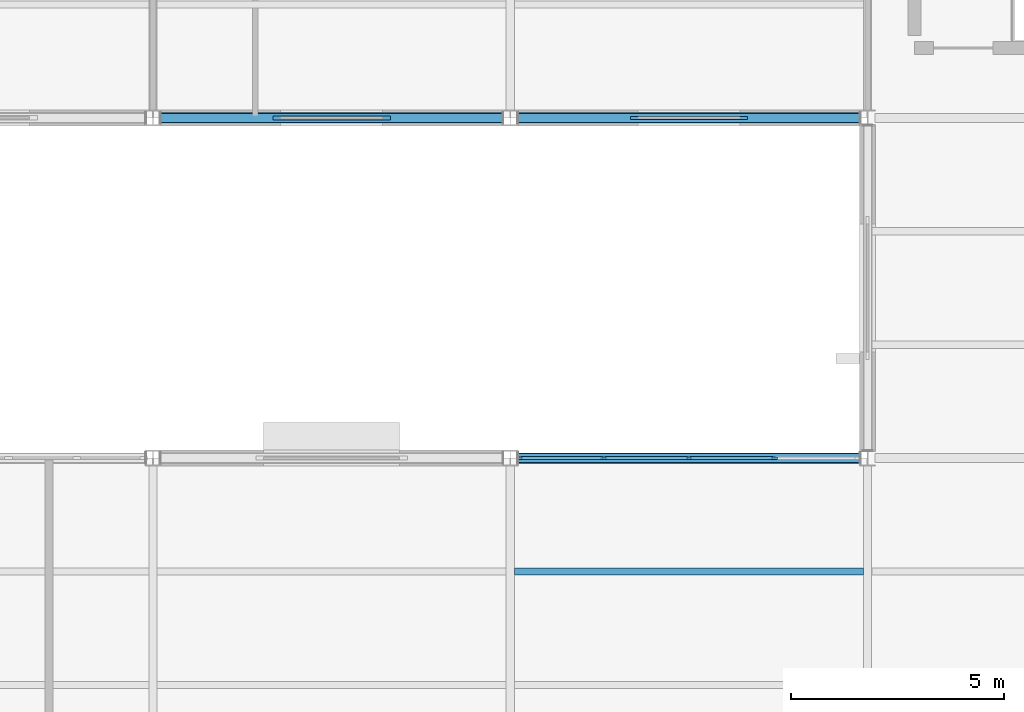
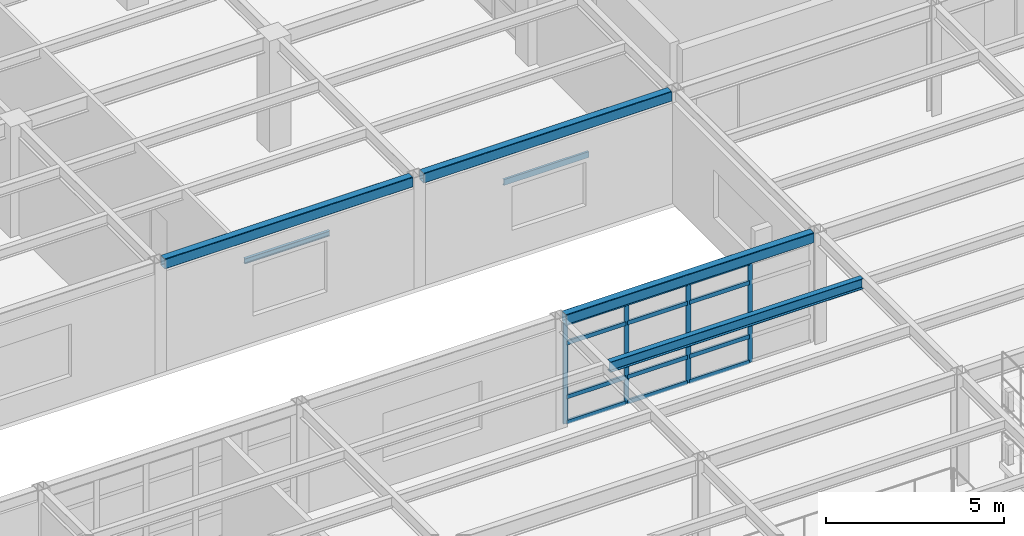
# One storey, part 24 of 138: 16 members, 6 beams, 1 element without a shape of its own.
"""IFC4 building model written with IfcOpenShell, lengths in metres."""

from ifc_helpers import new_model, si_unit, direction, frame, origin, origin_2d, place, context, subcontext, project, spatial, rectangle, hollow_rectangle, i_section, u_section, extrude, material, layer, layer_set, material_profile, profile_set, type_object, element, aggregate, save


model = new_model("IFC4")

# Units and contexts
model_context = context("Model", 3, precision=1e-05, world=origin(), true_north=direction((0.0, 1.0)))
body_context = subcontext(model_context, "Body", "Model", "MODEL_VIEW")
ifc_project = project(units=[si_unit("LENGTHUNIT", "METRE"), si_unit("AREAUNIT", "SQUARE_METRE"), si_unit("VOLUMEUNIT", "CUBIC_METRE"), si_unit("PLANEANGLEUNIT", "RADIAN"), si_unit("MASSUNIT", "GRAM", prefix="KILO")], contexts=[model_context])

# Site, building, storey
site_placement = place(None, origin())
site = spatial("IfcSite", under=ifc_project, at=site_placement, CompositionType="ELEMENT")
building_placement = place(site_placement, origin())
building = spatial("IfcBuilding", under=site, at=building_placement, Name="Kranzveld Transit Interchange", CompositionType="ELEMENT")
storey_placement = place(building_placement, frame((0.0, 0.0, 5.43994140625)))
storey = spatial("IfcBuildingStorey", under=building, at=storey_placement, Name="L01", CompositionType="ELEMENT", Elevation=5.43994140625)

# Curtain wall, members
ifc_material_1 = material(Name="Bronze-anodised thermally broken aluminium", Category="aluminium")
ifc_layer = layer(ifc_material_1, 0.159912109375)
ifc_layer_set = layer_set([ifc_layer], Name="Bronze-anodised thermally broken aluminium")
curtain_wall_type = type_object("IfcCurtainWallType", Name="Bus Boarding Glazed Screen CW-3", PredefinedType="USERDEFINED", material=ifc_layer_set)
curtain_wall_placement = place(storey_placement, origin())
curtain_wall = element("IfcCurtainWall", 1, at=curtain_wall_placement, inside=storey, type_object=curtain_wall_type, Name="L01 Curtain Wall 04/F-05/F", ObjectType="CURTAIN WALL", PredefinedType="USERDEFINED")
ifc_material_2 = material(Name="Bronze-anodised thermally broken aluminium", Category="aluminium")
ifc_material_profile_1 = material_profile(ifc_material_2, rectangle(XDim=0.06005859375, YDim=0.14990234375, at=origin_2d()), Name="ALU MULLION 60x150")
ifc_profile_set_1 = profile_set([ifc_material_profile_1], Name="Bronze-anodised thermally broken aluminium")
member_type_1 = type_object("IfcMemberType", Name="Curtain Wall Mullion 60x150 Alu", PredefinedType="MULLION", material=ifc_profile_set_1)
member_1_placement = place(storey_placement, frame((25.417236328125, 40.0, 0.0), z_axis=(0.0, 0.0, 1.0), x_axis=(0.0, 1.0, 0.0)))
member_1 = element("IfcMember", 2, at=member_1_placement, type_object=member_type_1, Name="CW-3 mullion 1", PredefinedType="MULLION", context=body_context, shape_type="SweptSolid", body=[
    extrude(rectangle(XDim=0.06005859375, YDim=0.14990234375, at=origin_2d()), origin(), (0.0, 0.0, 1.0), 3.449951171875),
])
member_2_placement = place(storey_placement, frame((27.3935546875, 40.0, 0.0), z_axis=(0.0, 0.0, 1.0), x_axis=(0.0, 1.0, 0.0)))
member_2 = element("IfcMember", 3, at=member_2_placement, type_object=member_type_1, Name="CW-3 mullion 2", PredefinedType="MULLION", context=body_context, shape_type="SweptSolid", body=[
    extrude(rectangle(XDim=0.06005859375, YDim=0.14990234375, at=origin_2d()), origin(), (0.0, 0.0, 1.0), 3.449951171875),
])
member_3_placement = place(storey_placement, frame((29.39990234375, 40.0, 0.0), z_axis=(0.0, 0.0, 1.0), x_axis=(0.0, 1.0, 0.0)))
member_3 = element("IfcMember", 4, at=member_3_placement, type_object=member_type_1, Name="CW-3 mullion 3", PredefinedType="MULLION", context=body_context, shape_type="SweptSolid", body=[
    extrude(rectangle(XDim=0.06005859375, YDim=0.14990234375, at=origin_2d()), origin(), (0.0, 0.0, 1.0), 3.449951171875),
])
member_4_placement = place(storey_placement, frame((31.40625, 40.0, 0.0), z_axis=(0.0, 0.0, 1.0), x_axis=(0.0, 1.0, 0.0)))
member_4 = element("IfcMember", 5, at=member_4_placement, type_object=member_type_1, Name="CW-3 mullion 4", PredefinedType="MULLION", context=body_context, shape_type="SweptSolid", body=[
    extrude(rectangle(XDim=0.06005859375, YDim=0.14990234375, at=origin_2d()), origin(), (0.0, 0.0, 1.0), 3.449951171875),
])
ifc_material_3 = material(Name="Bronze-anodised thermally broken aluminium", Category="aluminium")
ifc_material_profile_2 = material_profile(ifc_material_3, rectangle(XDim=0.06494140625, YDim=0.139892578125, at=origin_2d()), Name="ALU TRANSOM 65x140")
ifc_profile_set_2 = profile_set([ifc_material_profile_2], Name="Bronze-anodised thermally broken aluminium")
member_type_2 = type_object("IfcMemberType", Name="Curtain Wall Transom 65x140 Alu", PredefinedType="USERDEFINED", material=ifc_profile_set_2)
member_5_placement = place(storey_placement, frame((25.447265625, 40.0, 0.032470703125), z_axis=(1.0, 0.0, 0.0), x_axis=(0.0, 1.0, 0.0)))
member_5 = element("IfcMember", 6, at=member_5_placement, type_object=member_type_2, Name="CW-3 transom 1.1", ObjectType="TRANSOM", PredefinedType="USERDEFINED", context=body_context, shape_type="SweptSolid", body=[
    extrude(rectangle(XDim=0.06494140625, YDim=0.139892578125, at=origin_2d()), origin(), (0.0, 0.0, 1.0), 1.91650390625),
])
member_6_placement = place(storey_placement, frame((25.447265625, 40.0, 0.900146484375), z_axis=(1.0, 0.0, 0.0), x_axis=(0.0, 1.0, 0.0)))
member_6 = element("IfcMember", 7, at=member_6_placement, type_object=member_type_2, Name="CW-3 transom 1.2", ObjectType="TRANSOM", PredefinedType="USERDEFINED", context=body_context, shape_type="SweptSolid", body=[
    extrude(rectangle(XDim=0.06494140625, YDim=0.139892578125, at=origin_2d()), origin(), (0.0, 0.0, 1.0), 1.91650390625),
])
member_7_placement = place(storey_placement, frame((25.447265625, 40.0, 2.75), z_axis=(1.0, 0.0, 0.0), x_axis=(0.0, 1.0, 0.0)))
member_7 = element("IfcMember", 8, at=member_7_placement, type_object=member_type_2, Name="CW-3 transom 1.3", ObjectType="TRANSOM", PredefinedType="USERDEFINED", context=body_context, shape_type="SweptSolid", body=[
    extrude(rectangle(XDim=0.06494140625, YDim=0.139892578125, at=origin_2d()), origin(), (0.0, 0.0, 1.0), 1.91650390625),
])
member_8_placement = place(storey_placement, frame((25.447265625, 40.0, 3.41748046875), z_axis=(1.0, 0.0, 0.0), x_axis=(0.0, 1.0, 0.0)))
member_8 = element("IfcMember", 9, at=member_8_placement, type_object=member_type_2, Name="CW-3 transom 1.4", ObjectType="TRANSOM", PredefinedType="USERDEFINED", context=body_context, shape_type="SweptSolid", body=[
    extrude(rectangle(XDim=0.06494140625, YDim=0.139892578125, at=origin_2d()), origin(), (0.0, 0.0, 1.0), 1.91650390625),
])
member_9_placement = place(storey_placement, frame((27.423583984375, 40.0, 0.032470703125), z_axis=(1.0, 0.0, 0.0), x_axis=(0.0, 1.0, 0.0)))
member_9 = element("IfcMember", 10, at=member_9_placement, type_object=member_type_2, Name="CW-3 transom 2.1", ObjectType="TRANSOM", PredefinedType="USERDEFINED", context=body_context, shape_type="SweptSolid", body=[
    extrude(rectangle(XDim=0.06494140625, YDim=0.139892578125, at=origin_2d()), origin(), (0.0, 0.0, 1.0), 1.946533203125),
])
member_10_placement = place(storey_placement, frame((27.423583984375, 40.0, 0.900146484375), z_axis=(1.0, 0.0, 0.0), x_axis=(0.0, 1.0, 0.0)))
member_10 = element("IfcMember", 11, at=member_10_placement, type_object=member_type_2, Name="CW-3 transom 2.2", ObjectType="TRANSOM", PredefinedType="USERDEFINED", context=body_context, shape_type="SweptSolid", body=[
    extrude(rectangle(XDim=0.06494140625, YDim=0.139892578125, at=origin_2d()), origin(), (0.0, 0.0, 1.0), 1.946533203125),
])
member_11_placement = place(storey_placement, frame((27.423583984375, 40.0, 2.75), z_axis=(1.0, 0.0, 0.0), x_axis=(0.0, 1.0, 0.0)))
member_11 = element("IfcMember", 12, at=member_11_placement, type_object=member_type_2, Name="CW-3 transom 2.3", ObjectType="TRANSOM", PredefinedType="USERDEFINED", context=body_context, shape_type="SweptSolid", body=[
    extrude(rectangle(XDim=0.06494140625, YDim=0.139892578125, at=origin_2d()), origin(), (0.0, 0.0, 1.0), 1.946533203125),
])
member_12_placement = place(storey_placement, frame((27.423583984375, 40.0, 3.41748046875), z_axis=(1.0, 0.0, 0.0), x_axis=(0.0, 1.0, 0.0)))
member_12 = element("IfcMember", 13, at=member_12_placement, type_object=member_type_2, Name="CW-3 transom 2.4", ObjectType="TRANSOM", PredefinedType="USERDEFINED", context=body_context, shape_type="SweptSolid", body=[
    extrude(rectangle(XDim=0.06494140625, YDim=0.139892578125, at=origin_2d()), origin(), (0.0, 0.0, 1.0), 1.946533203125),
])
member_13_placement = place(storey_placement, frame((29.429931640625, 40.0, 0.032470703125), z_axis=(1.0, 0.0, 0.0), x_axis=(0.0, 1.0, 0.0)))
member_13 = element("IfcMember", 14, at=member_13_placement, type_object=member_type_2, Name="CW-3 transom 3.1", ObjectType="TRANSOM", PredefinedType="USERDEFINED", context=body_context, shape_type="SweptSolid", body=[
    extrude(rectangle(XDim=0.06494140625, YDim=0.139892578125, at=origin_2d()), origin(), (0.0, 0.0, 1.0), 1.946533203125),
])
member_14_placement = place(storey_placement, frame((29.429931640625, 40.0, 0.900146484375), z_axis=(1.0, 0.0, 0.0), x_axis=(0.0, 1.0, 0.0)))
member_14 = element("IfcMember", 15, at=member_14_placement, type_object=member_type_2, Name="CW-3 transom 3.2", ObjectType="TRANSOM", PredefinedType="USERDEFINED", context=body_context, shape_type="SweptSolid", body=[
    extrude(rectangle(XDim=0.06494140625, YDim=0.139892578125, at=origin_2d()), origin(), (0.0, 0.0, 1.0), 1.946533203125),
])
member_15_placement = place(storey_placement, frame((29.429931640625, 40.0, 2.75), z_axis=(1.0, 0.0, 0.0), x_axis=(0.0, 1.0, 0.0)))
member_15 = element("IfcMember", 16, at=member_15_placement, type_object=member_type_2, Name="CW-3 transom 3.3", ObjectType="TRANSOM", PredefinedType="USERDEFINED", context=body_context, shape_type="SweptSolid", body=[
    extrude(rectangle(XDim=0.06494140625, YDim=0.139892578125, at=origin_2d()), origin(), (0.0, 0.0, 1.0), 1.946533203125),
])
member_16_placement = place(storey_placement, frame((29.429931640625, 40.0, 3.41748046875), z_axis=(1.0, 0.0, 0.0), x_axis=(0.0, 1.0, 0.0)))
member_16 = element("IfcMember", 17, at=member_16_placement, type_object=member_type_2, Name="CW-3 transom 3.4", ObjectType="TRANSOM", PredefinedType="USERDEFINED", context=body_context, shape_type="SweptSolid", body=[
    extrude(rectangle(XDim=0.06494140625, YDim=0.139892578125, at=origin_2d()), origin(), (0.0, 0.0, 1.0), 1.946533203125),
])
aggregate(curtain_wall, [member_1, member_2, member_3, member_4, member_5, member_6, member_7, member_8, member_9, member_10, member_11, member_12, member_13, member_14, member_15, member_16])

# Beams
ifc_material_4 = material(Name="Steel S355JR", Category="steel")
ifc_material_profile_3 = material_profile(ifc_material_4, hollow_rectangle(XDim=0.25, YDim=0.35009765625, WallThickness=0.012451171875, InnerFilletRadius=0.018798828125, OuterFilletRadius=0.03125, at=origin_2d()), Name="RHS 350x250x12.5")
ifc_profile_set_3 = profile_set([ifc_material_profile_3], Name="Steel S355JR")
beam_type_1 = type_object("IfcBeamType", Name="Edge Spandrel RHS 350x250x12.5 S355JR", PredefinedType="SPANDREL", material=ifc_profile_set_3)
for number, where, z_axis, x_axis, name in (
    (18, (25.377197265625, 40.0, 3.625), (1.0, 0.0, 0.0), (0.0, 1.0, 0.0), "L01 Girder 04-05/F"),
    (19, (16.977294921875, 48.0, 3.625), (1.0, 0.0, 0.0), (0.0, 1.0, 0.0), "L01 Girder 03-04/G"),
    (20, (25.377197265625, 48.0, 3.625), (1.0, 0.0, 0.0), (0.0, 1.0, 0.0), "L01 Girder 04-05/G"),
):
    element("IfcBeam", number, at=place(storey_placement, frame(where, z_axis=z_axis, x_axis=x_axis)), inside=storey, type_object=beam_type_1, Name=name, PredefinedType="SPANDREL", context=body_context, shape_type="SweptSolid", body=[
        extrude(hollow_rectangle(XDim=0.25, YDim=0.35009765625, WallThickness=0.012451171875, InnerFilletRadius=0.018798828125, OuterFilletRadius=0.03125, at=origin_2d()), origin(), (0.0, 0.0, 1.0), 8.04541015625),
    ])
ifc_material_5 = material(Name="Steel S355JR", Category="steel")
ifc_material_profile_4 = material_profile(ifc_material_5, i_section(OverallWidth=0.172119140625, OverallDepth=0.35791015625, WebThickness=0.008056640625, FlangeThickness=0.012939453125, FilletRadius=0.01025390625, at=origin_2d()), Name="UB 356x171x57")
ifc_profile_set_4 = profile_set([ifc_material_profile_4], Name="Steel S355JR")
beam_type_2 = type_object("IfcBeamType", Name="Floor Joist UB 356x171x57 S355JR", PredefinedType="JOIST", material=ifc_profile_set_4)
beam_1_placement = place(storey_placement, frame((25.2978515625, 37.333251953125, 3.62109375), z_axis=(1.0, 0.0, 0.0), x_axis=(0.0, 1.0, 0.0)))
element("IfcBeam", 21, at=beam_1_placement, inside=storey, type_object=beam_type_2, Name="L01 Secondary Joist 04-05/E.2", PredefinedType="JOIST", context=body_context, shape_type="SweptSolid", body=[
    extrude(i_section(OverallWidth=0.172119140625, OverallDepth=0.35791015625, WebThickness=0.008056640625, FlangeThickness=0.012939453125, FilletRadius=0.01025390625, at=origin_2d()), origin(), (0.0, 0.0, 1.0), 8.2041015625),
])
ifc_material_6 = material(Name="Steel S355JR", Category="steel")
ifc_material_profile_5 = material_profile(ifc_material_6, u_section(Depth=0.199951171875, FlangeWidth=0.074951171875, WebThickness=0.006103515625, FlangeThickness=0.012451171875, FilletRadius=0.011962890625, at=origin_2d()), Name="PFC 200x75x23")
ifc_profile_set_5 = profile_set([ifc_material_profile_5], Name="Steel S355JR")
beam_type_3 = type_object("IfcBeamType", Name="Masonry Lintel PFC 200x75x23 S355JR", PredefinedType="LINTEL", material=ifc_profile_set_5)
beam_2_placement = place(storey_placement, frame((28.02001953125, 48.0, 2.505126953125), z_axis=(1.0, 0.0, 0.0), x_axis=(0.0, 1.0, 0.0)))
element("IfcBeam", 22, at=beam_2_placement, inside=storey, type_object=beam_type_3, Name="L01 Window Lintel 068", PredefinedType="LINTEL", context=body_context, shape_type="SweptSolid", body=[
    extrude(u_section(Depth=0.199951171875, FlangeWidth=0.074951171875, WebThickness=0.006103515625, FlangeThickness=0.012451171875, FilletRadius=0.011962890625, at=origin_2d()), origin(), (0.0, 0.0, 1.0), 2.760009765625),
])
ifc_material_7 = material(Name="Steel S355JR", Category="steel")
ifc_material_profile_6 = material_profile(ifc_material_7, i_section(OverallWidth=0.091064453125, OverallDepth=0.179931640625, WebThickness=0.00537109375, FlangeThickness=0.008056640625, FilletRadius=0.009033203125, at=origin_2d()), Name="IPE 180")
ifc_profile_set_6 = profile_set([ifc_material_profile_6], Name="Steel S355JR")
beam_type_4 = type_object("IfcBeamType", Name="Opening Lintel IPE 180 S355JR", PredefinedType="LINTEL", material=ifc_profile_set_6)
beam_3_placement = place(storey_placement, frame((19.6201171875, 48.0, 2.7451171875), z_axis=(1.0, 0.0, 0.0), x_axis=(0.0, 1.0, 0.0)))
element("IfcBeam", 23, at=beam_3_placement, inside=storey, type_object=beam_type_4, Name="L01 Window Lintel 067", PredefinedType="LINTEL", context=body_context, shape_type="SweptSolid", body=[
    extrude(i_section(OverallWidth=0.091064453125, OverallDepth=0.179931640625, WebThickness=0.00537109375, FlangeThickness=0.008056640625, FilletRadius=0.009033203125, at=origin_2d()), origin(), (0.0, 0.0, 1.0), 2.759765625),
])

save(model, "model.ifc")
